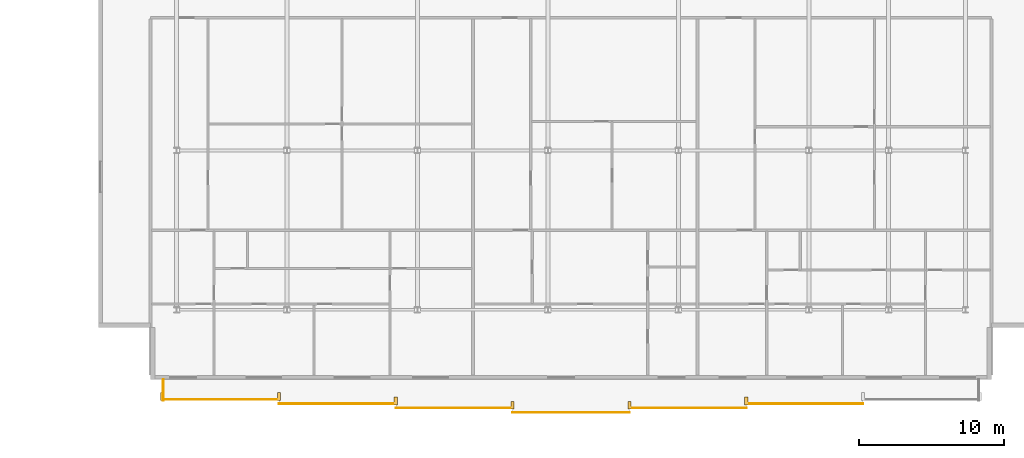
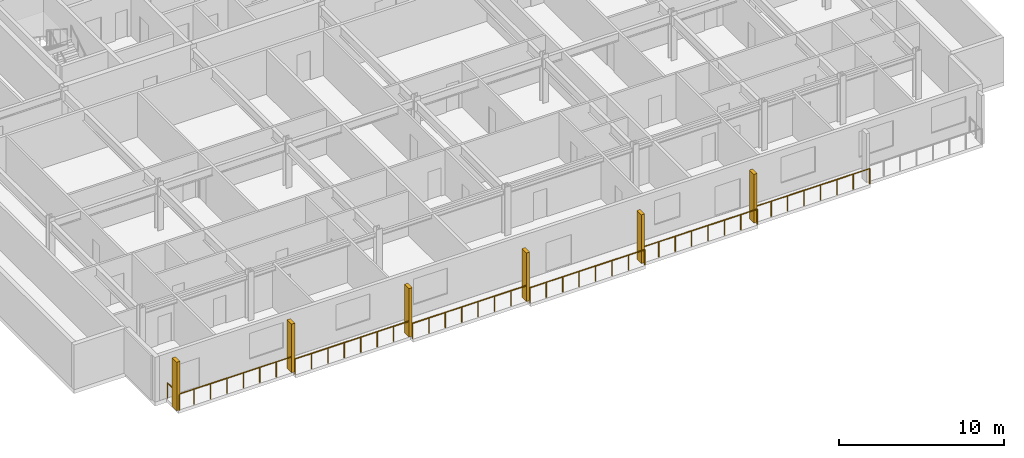
# One storey, part 31 of 36: 7 railings, 6 shading devices.
"""IFC4 building model written with IfcOpenShell, lengths in metres."""

from ifc_helpers import new_model, si_unit, direction, frame, origin, origin_2d, place, context, subcontext, project, spatial, rectangle, circle, extrude, material, type_object, element, save


model = new_model("IFC4")

# Units and contexts
model_context = context("Model", 3, precision=1e-05, world=origin(), true_north=direction((0.0, 1.0)))
body_context = subcontext(model_context, "Body", "Model", "MODEL_VIEW")
ifc_project = project(units=[si_unit("LENGTHUNIT", "METRE"), si_unit("AREAUNIT", "SQUARE_METRE"), si_unit("VOLUMEUNIT", "CUBIC_METRE"), si_unit("PLANEANGLEUNIT", "RADIAN"), si_unit("MASSUNIT", "GRAM", prefix="KILO")], contexts=[model_context])

# Site, building, storey
site_placement = place(None, origin())
site = spatial("IfcSite", under=ifc_project, at=site_placement, CompositionType="ELEMENT")
building_placement = place(site_placement, origin())
building = spatial("IfcBuilding", under=site, at=building_placement, Name="Korimba Cascade Residences", CompositionType="ELEMENT")
storey_placement = place(building_placement, frame((0.0, 0.0, 139.300048828125)))
storey = spatial("IfcBuildingStorey", under=building, at=storey_placement, Name="L40", CompositionType="ELEMENT", Elevation=139.300048828125)

# Railings
ifc_material_1 = material(Name="Laminated Glass and Bronze Balustrade", Category="glass")
railing_type = type_object("IfcRailingType", Name="RLG-LOG-1150", PredefinedType="BALUSTRADE", material=ifc_material_1)
for number, where, name in (
    (1, (73.5, -10.3701171875, 0.0), "L40 Perimeter Guardrail RLG-L40-T2-LOG-01"),
    (2, (81.55712890625, -10.669921875, 0.0), "L40 Perimeter Guardrail RLG-L40-T2-LOG-02"),
    (3, (89.6142578125, -10.969970703125, 0.0), "L40 Perimeter Guardrail RLG-L40-T2-LOG-03"),
    (4, (97.67138671875, -11.27001953125, 0.0), "L40 Perimeter Guardrail RLG-L40-T2-LOG-04"),
    (5, (105.728515625, -10.969970703125, 0.0), "L40 Perimeter Guardrail RLG-L40-T2-LOG-05"),
):
    element("IfcRailing", number, at=place(storey_placement, frame(where)), inside=storey, type_object=railing_type, Name=name, PredefinedType="BALUSTRADE", context=body_context, shape_type="SweptSolid", body=[
        extrude(circle(Radius=0.02392578125, at=origin_2d()), frame((0.0, 0.0, 1.1259765625), z_axis=(1.0, 0.0, 0.0), x_axis=(0.0, 1.0, 0.0)), (0.0, 0.0, 1.0), 8.05712890625),
        extrude(circle(Radius=0.02099609375, at=origin_2d()), origin(), (0.0, 0.0, 1.0), 1.101806640625),
        extrude(circle(Radius=0.02099609375, at=origin_2d()), frame((1.151123046875, 0.0, 0.0)), (0.0, 0.0, 1.0), 1.101806640625),
        extrude(circle(Radius=0.02099609375, at=origin_2d()), frame((2.302001953125, 0.0, 0.0)), (0.0, 0.0, 1.0), 1.101806640625),
        extrude(circle(Radius=0.02099609375, at=origin_2d()), frame((3.453125, 0.0, 0.0)), (0.0, 0.0, 1.0), 1.101806640625),
        extrude(circle(Radius=0.02099609375, at=origin_2d()), frame((4.60400390625, 0.0, 0.0)), (0.0, 0.0, 1.0), 1.101806640625),
        extrude(circle(Radius=0.02099609375, at=origin_2d()), frame((5.755126953125, 0.0, 0.0)), (0.0, 0.0, 1.0), 1.101806640625),
        extrude(circle(Radius=0.02099609375, at=origin_2d()), frame((6.906005859375, 0.0, 0.0)), (0.0, 0.0, 1.0), 1.101806640625),
        extrude(circle(Radius=0.02099609375, at=origin_2d()), frame((8.05712890625, 0.0, 0.0)), (0.0, 0.0, 1.0), 1.101806640625),
    ])
railing_1_placement = place(storey_placement, frame((113.78564453125, -10.669921875, 0.0)))
element("IfcRailing", 6, at=railing_1_placement, inside=storey, type_object=railing_type, Name="L40 Perimeter Guardrail RLG-L40-T2-LOG-06", PredefinedType="BALUSTRADE", context=body_context, shape_type="SweptSolid", body=[
    extrude(circle(Radius=0.02392578125, at=origin_2d()), frame((0.0, 0.0, 1.1259765625), z_axis=(1.0, 0.0, 0.0), x_axis=(0.0, 1.0, 0.0)), (0.0, 0.0, 1.0), 8.057373046875),
    extrude(circle(Radius=0.02099609375, at=origin_2d()), origin(), (0.0, 0.0, 1.0), 1.101806640625),
    extrude(circle(Radius=0.02099609375, at=origin_2d()), frame((1.151123046875, 0.0, 0.0)), (0.0, 0.0, 1.0), 1.101806640625),
    extrude(circle(Radius=0.02099609375, at=origin_2d()), frame((2.302001953125, 0.0, 0.0)), (0.0, 0.0, 1.0), 1.101806640625),
    extrude(circle(Radius=0.02099609375, at=origin_2d()), frame((3.453125, 0.0, 0.0)), (0.0, 0.0, 1.0), 1.101806640625),
    extrude(circle(Radius=0.02099609375, at=origin_2d()), frame((4.604248046875, 0.0, 0.0)), (0.0, 0.0, 1.0), 1.101806640625),
    extrude(circle(Radius=0.02099609375, at=origin_2d()), frame((5.75537109375, 0.0, 0.0)), (0.0, 0.0, 1.0), 1.101806640625),
    extrude(circle(Radius=0.02099609375, at=origin_2d()), frame((6.90625, 0.0, 0.0)), (0.0, 0.0, 1.0), 1.101806640625),
    extrude(circle(Radius=0.02099609375, at=origin_2d()), frame((8.057373046875, 0.0, 0.0)), (0.0, 0.0, 1.0), 1.101806640625),
])
railing_2_placement = place(storey_placement, frame((73.580078125, -9.0, 0.0)))
element("IfcRailing", 7, at=railing_2_placement, inside=storey, type_object=railing_type, Name="L40 Perimeter Guardrail RLG-L40-T2-LOG-09", PredefinedType="BALUSTRADE", context=body_context, shape_type="SweptSolid", body=[
    extrude(circle(Radius=0.02392578125, at=origin_2d()), frame((0.0, 0.0, 1.1259765625), z_axis=(0.0, -1.0, 0.0), x_axis=(1.0, 0.0, 0.0)), (0.0, 0.0, 1.0), 1.449951171875),
    extrude(circle(Radius=0.02099609375, at=origin_2d()), origin(), (0.0, 0.0, 1.0), 1.101806640625),
    extrude(circle(Radius=0.02099609375, at=origin_2d()), frame((0.0, -0.72509765625, 0.0)), (0.0, 0.0, 1.0), 1.101806640625),
    extrude(circle(Radius=0.02099609375, at=origin_2d()), frame((0.0, -1.449951171875, 0.0)), (0.0, 0.0, 1.0), 1.101806640625),
])

# Shading devices
ifc_material_2 = material(Name="Honed Sandstone Precast Fin", Category="masonry")
shading_device_type = type_object("IfcShadingDeviceType", Name="SHD-FIN-550", PredefinedType="USERDEFINED", material=ifc_material_2)
for number, where, z_axis, x_axis, name in (
    (8, (73.5, -10.175048828125, 0.0), (0.0, 0.0, 1.0), (1.0, 0.0, 0.0), "L40 T2 Warm-Stone Loggia Fin 1"),
    (9, (81.55712890625, -10.175048828125, 0.0), (0.0, 0.0, 1.0), (1.0, 0.0, 0.0), "L40 T2 Warm-Stone Loggia Fin 2"),
    (10, (89.6142578125, -10.47509765625, 0.0), (0.0, 0.0, 1.0), (1.0, 0.0, 0.0), "L40 T2 Warm-Stone Loggia Fin 3"),
    (11, (97.67138671875, -10.77490234375, 0.0), (0.0, 0.0, 1.0), (1.0, 0.0, 0.0), "L40 T2 Warm-Stone Loggia Fin 4"),
    (12, (105.728515625, -10.77490234375, 0.0), (0.0, 0.0, 1.0), (1.0, 0.0, 0.0), "L40 T2 Warm-Stone Loggia Fin 5"),
    (13, (113.78564453125, -10.47509765625, 0.0), (0.0, 0.0, 1.0), (1.0, 0.0, 0.0), "L40 T2 Warm-Stone Loggia Fin 6"),
):
    element("IfcShadingDevice", number, at=place(storey_placement, frame(where, z_axis=z_axis, x_axis=x_axis)), inside=storey, type_object=shading_device_type, Name=name, ObjectType="FIN", PredefinedType="USERDEFINED", context=body_context, shape_type="SweptSolid", body=[
        extrude(rectangle(XDim=0.219970703125, YDim=0.550048828125, at=origin_2d()), origin(), (0.0, 0.0, 1.0), 3.60009765625),
    ])

save(model, "model.ifc")
